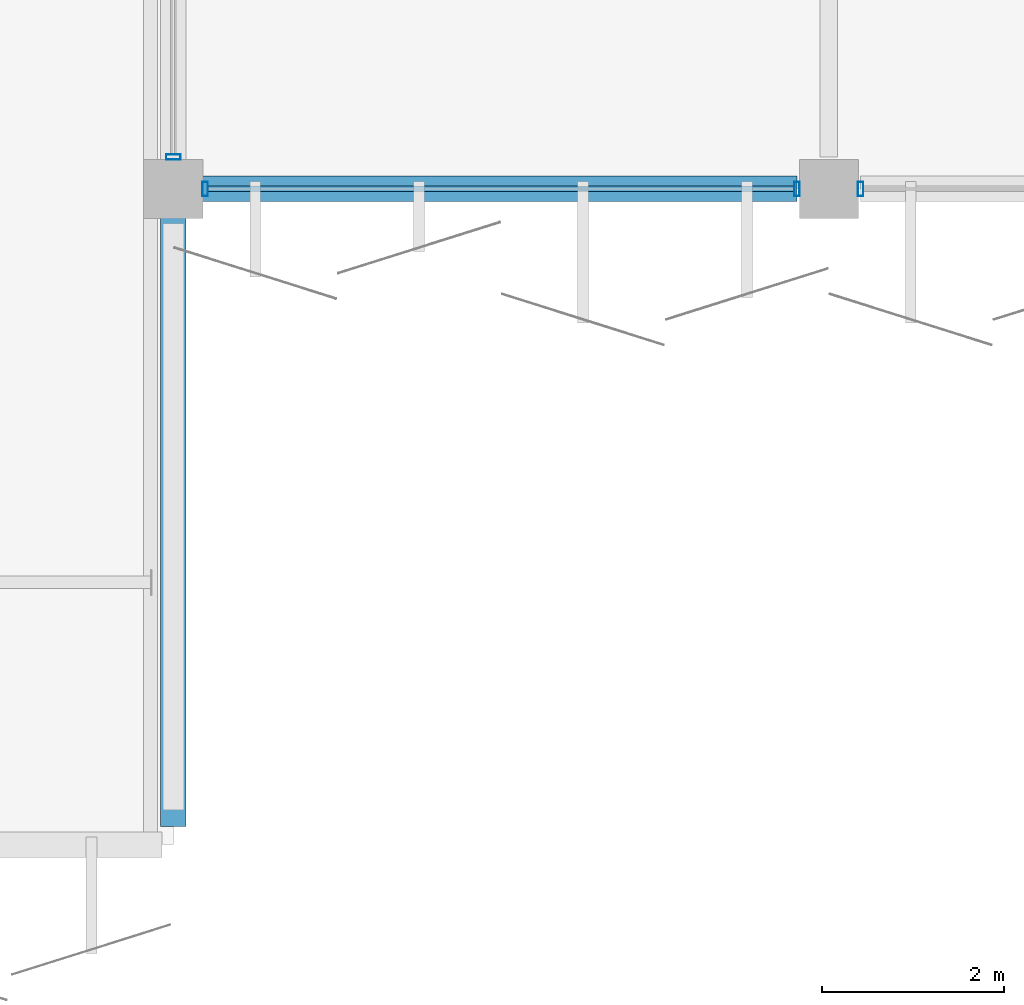
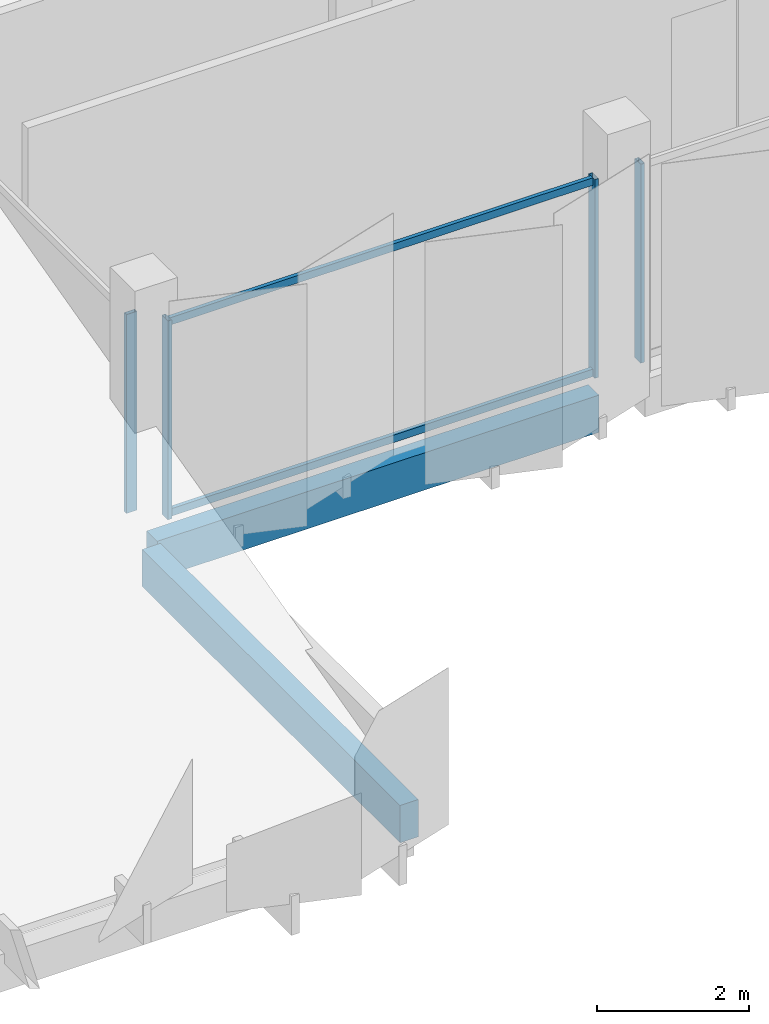
# One storey, part 30 of 108: 6 members, 2 beams, 3 elements without a shape of their own.
"""IFC4 building model written with IfcOpenShell, lengths in metres."""

from ifc_helpers import new_model, si_unit, direction, frame, origin, origin_2d, place, context, subcontext, project, spatial, rectangle, hollow_rectangle, extrude, material, layer, layer_set, material_profile, profile_set, type_object, element, aggregate, save


model = new_model("IFC4")

# Units and contexts
model_context = context("Model", 3, precision=1e-05, world=origin(), true_north=direction((0.0, 1.0)))
body_context = subcontext(model_context, "Body", "Model", "MODEL_VIEW")
ifc_project = project(units=[si_unit("LENGTHUNIT", "METRE"), si_unit("AREAUNIT", "SQUARE_METRE"), si_unit("VOLUMEUNIT", "CUBIC_METRE"), si_unit("PLANEANGLEUNIT", "RADIAN"), si_unit("MASSUNIT", "GRAM", prefix="KILO")], contexts=[model_context])

# Site, building, storey
site_placement = place(None, origin())
site = spatial("IfcSite", under=ifc_project, at=site_placement, CompositionType="ELEMENT")
building_placement = place(site_placement, origin())
building = spatial("IfcBuilding", under=site, at=building_placement, Name="Kangsadwip Square Police Headquarters", CompositionType="ELEMENT")
storey_placement = place(building_placement, frame((0.0, 0.0, 9.449951171875)))
storey = spatial("IfcBuildingStorey", under=building, at=storey_placement, Name="L02", CompositionType="ELEMENT", Elevation=9.449951171875)

# Curtain wall, members
ifc_material_1 = material(Name="Thermally broken anodised aluminium AW-6063-T6", Category="aluminium")
ifc_layer = layer(ifc_material_1, 0.159912109375)
ifc_layer_set = layer_set([ifc_layer], Name="Thermally broken anodised aluminium AW-6063-T6")
curtain_wall_type = type_object("IfcCurtainWallType", Name="CourtScreen6560x3200", PredefinedType="USERDEFINED", material=ifc_layer_set)
curtain_wall_1_placement = place(storey_placement, origin())
curtain_wall_1 = element("IfcCurtainWall", 1, at=curtain_wall_1_placement, inside=storey, type_object=curtain_wall_type, Name="Curtain Wall CW-L02-0939-0936", ObjectType="GLAZED_SCREEN", PredefinedType="USERDEFINED")
ifc_material_2 = material(Name="Thermally broken anodised aluminium AW-6063-T6", Category="aluminium")
ifc_material_profile_1 = material_profile(ifc_material_2, hollow_rectangle(XDim=0.06005859375, YDim=0.159912109375, WallThickness=0.00390625, at=origin_2d()), Name="CWM 160X60X4")
ifc_profile_set_1 = profile_set([ifc_material_profile_1], Name="Thermally broken anodised aluminium AW-6063-T6")
member_type_1 = type_object("IfcMemberType", Name="CwMullion135x60", PredefinedType="MULLION", material=ifc_profile_set_1)
member_1_placement = place(storey_placement, frame((93.949951171875, 93.60009765625, 0.0), z_axis=(0.0, 0.0, 1.0), x_axis=(1.0, 0.0, 0.0)))
member_1 = element("IfcMember", 2, at=member_1_placement, type_object=member_type_1, Name="CW-33 mullion 1", PredefinedType="MULLION", context=body_context, shape_type="SweptSolid", body=[
    extrude(hollow_rectangle(XDim=0.06005859375, YDim=0.159912109375, WallThickness=0.00390625, at=origin_2d()), origin(), (0.0, 0.0, 1.0), 3.199951171875),
])
member_2_placement = place(storey_placement, frame((100.449951171875, 93.60009765625, 0.0), z_axis=(0.0, 0.0, 1.0), x_axis=(1.0, 0.0, 0.0)))
member_2 = element("IfcMember", 3, at=member_2_placement, type_object=member_type_1, Name="CW-33 mullion 2", PredefinedType="MULLION", context=body_context, shape_type="SweptSolid", body=[
    extrude(hollow_rectangle(XDim=0.06005859375, YDim=0.159912109375, WallThickness=0.00390625, at=origin_2d()), origin(), (0.0, 0.0, 1.0), 3.199951171875),
])

# Curtain wall, member
curtain_wall_2_placement = place(storey_placement, origin())
curtain_wall_2 = element("IfcCurtainWall", 4, at=curtain_wall_2_placement, inside=storey, type_object=curtain_wall_type, Name="Curtain Wall CW-L02-1011-0936", ObjectType="GLAZED_SCREEN", PredefinedType="USERDEFINED")
member_3_placement = place(storey_placement, frame((101.14990234375, 93.60009765625, 0.0), z_axis=(0.0, 0.0, 1.0), x_axis=(1.0, 0.0, 0.0)))
member_3 = element("IfcMember", 5, at=member_3_placement, type_object=member_type_1, Name="CW-33 mullion 1", PredefinedType="MULLION", context=body_context, shape_type="SweptSolid", body=[
    extrude(hollow_rectangle(XDim=0.06005859375, YDim=0.159912109375, WallThickness=0.00390625, at=origin_2d()), origin(), (0.0, 0.0, 1.0), 3.199951171875),
])
aggregate(curtain_wall_2, [member_3])

curtain_wall_3_placement = place(storey_placement, origin())
curtain_wall_3 = element("IfcCurtainWall", 6, at=curtain_wall_3_placement, inside=storey, type_object=curtain_wall_type, Name="Curtain Wall CW-L02-0936-0939", ObjectType="GLAZED_SCREEN", PredefinedType="USERDEFINED")
member_4_placement = place(storey_placement, frame((93.60009765625, 93.949951171875, 0.0), z_axis=(0.0, 0.0, 1.0), x_axis=(0.0, 1.0, 0.0)))
member_4 = element("IfcMember", 7, at=member_4_placement, type_object=member_type_1, Name="CW-33 mullion 1", PredefinedType="MULLION", context=body_context, shape_type="SweptSolid", body=[
    extrude(hollow_rectangle(XDim=0.06005859375, YDim=0.159912109375, WallThickness=0.00390625, at=origin_2d()), origin(), (0.0, 0.0, 1.0), 3.199951171875),
])
aggregate(curtain_wall_3, [member_4])

# Member
ifc_material_3 = material(Name="Thermally broken anodised aluminium AW-6063-T6", Category="aluminium")
ifc_material_profile_2 = material_profile(ifc_material_3, hollow_rectangle(XDim=0.06005859375, YDim=0.1201171875, WallThickness=0.00390625, at=origin_2d()), Name="CWT 120X60X4")
ifc_profile_set_2 = profile_set([ifc_material_profile_2], Name="Thermally broken anodised aluminium AW-6063-T6")
member_type_2 = type_object("IfcMemberType", Name="CwTransom120x55", PredefinedType="USERDEFINED", material=ifc_profile_set_2)
member_5_placement = place(storey_placement, frame((93.97998046875, 93.60009765625, 0.06005859375), z_axis=(1.0, 0.0, 0.0), x_axis=(0.0, 1.0, 0.0)))
member_5 = element("IfcMember", 8, at=member_5_placement, type_object=member_type_2, Name="CW-33 transom 1.1", ObjectType="TRANSOM", PredefinedType="USERDEFINED", context=body_context, shape_type="SweptSolid", body=[
    extrude(hollow_rectangle(XDim=0.06005859375, YDim=0.1201171875, WallThickness=0.00390625, at=origin_2d()), origin(), (0.0, 0.0, 1.0), 6.43994140625),
])

member_6_placement = place(storey_placement, frame((93.97998046875, 93.60009765625, 3.14013671875), z_axis=(1.0, 0.0, 0.0), x_axis=(0.0, 1.0, 0.0)))
member_6 = element("IfcMember", 9, at=member_6_placement, type_object=member_type_2, Name="CW-33 transom 1.2", ObjectType="TRANSOM", PredefinedType="USERDEFINED", context=body_context, shape_type="SweptSolid", body=[
    extrude(hollow_rectangle(XDim=0.06005859375, YDim=0.1201171875, WallThickness=0.00390625, at=origin_2d()), origin(), (0.0, 0.0, 1.0), 6.43994140625),
])

aggregate(curtain_wall_1, [member_1, member_2, member_5, member_6])

# Beams
ifc_material_4 = material(Name="Concrete M40 (40 MPa)", Category="concrete")
ifc_material_profile_3 = material_profile(ifc_material_4, rectangle(XDim=0.280029296875, YDim=0.60009765625, at=origin_2d()), Name="RC SPN 600X280")
ifc_profile_set_3 = profile_set([ifc_material_profile_3], Name="Concrete M40 (40 MPa)")
beam_type = type_object("IfcBeamType", Name="RcSpandrel600x280", PredefinedType="SPANDREL", material=ifc_profile_set_3)
beam_1_placement = place(storey_placement, frame((93.60009765625, 86.60009765625, -0.5400390625), z_axis=(0.0, 1.0, 0.0), x_axis=(-1.0, 0.0, 0.0)))
element("IfcBeam", 10, at=beam_1_placement, inside=storey, type_object=beam_type, Name="Beam BM-L02-Y-13-12", PredefinedType="SPANDREL", context=body_context, shape_type="SweptSolid", body=[
    extrude(rectangle(XDim=0.280029296875, YDim=0.60009765625, at=origin_2d()), origin(), (0.0, 0.0, 1.0), 6.7998046875),
])
beam_2_placement = place(storey_placement, frame((93.72509765625, 93.60009765625, -0.5400390625), z_axis=(1.0, 0.0, 0.0), x_axis=(0.0, 1.0, 0.0)))
element("IfcBeam", 11, at=beam_2_placement, inside=storey, type_object=beam_type, Name="Beam BM-L02-X-13-13", PredefinedType="SPANDREL", context=body_context, shape_type="SweptSolid", body=[
    extrude(rectangle(XDim=0.280029296875, YDim=0.60009765625, at=origin_2d()), origin(), (0.0, 0.0, 1.0), 6.724853515625),
])

save(model, "model.ifc")
